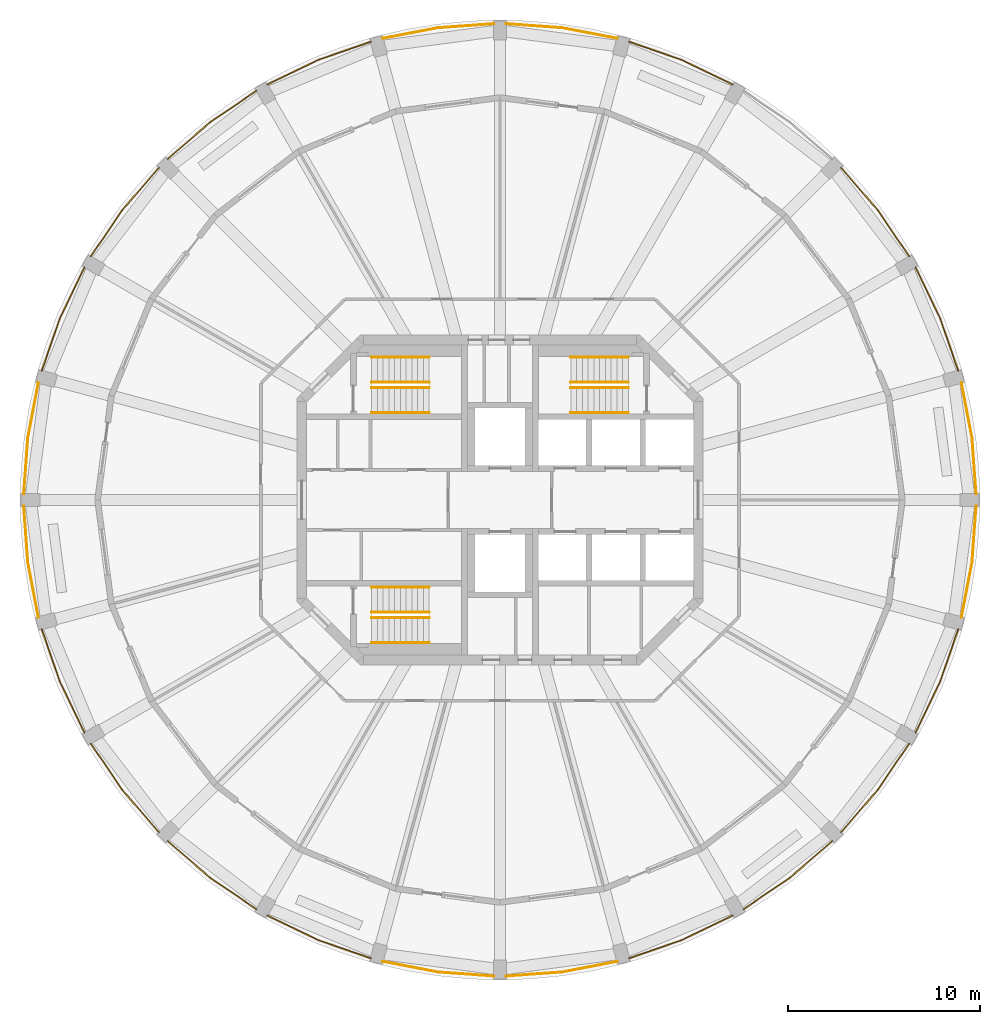
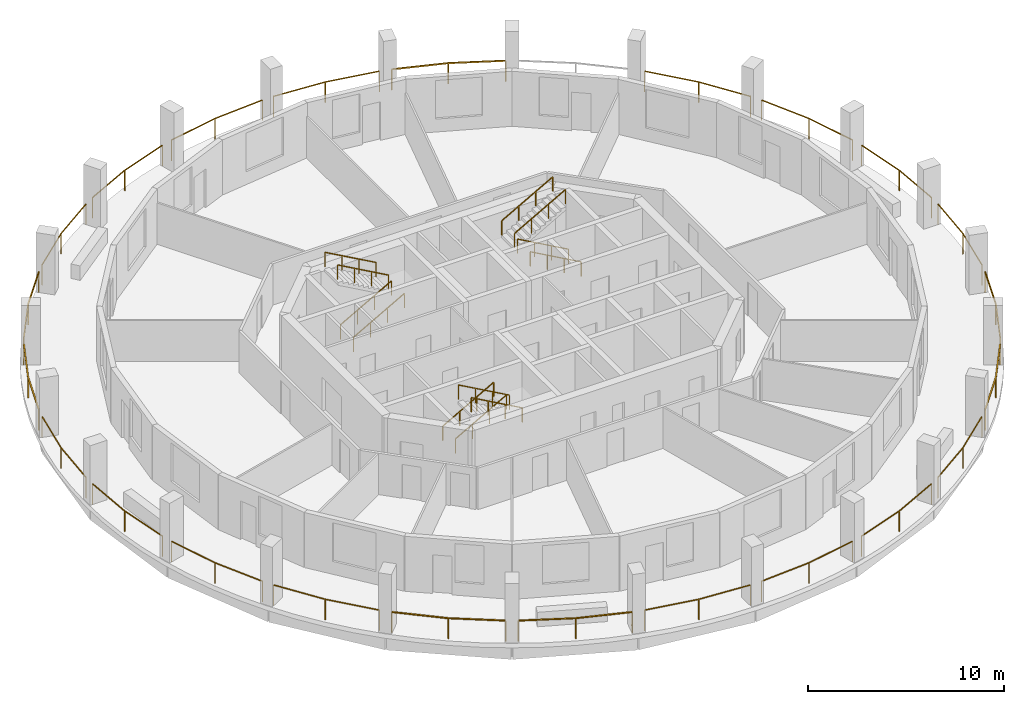
# One storey, part 7 of 8: 35 railings.
"""IFC4 building model written with IfcOpenShell, lengths in metres."""

from ifc_helpers import new_model, si_unit, direction, frame, origin, origin_2d, place, context, subcontext, project, spatial, rectangle, extrude, material, type_object, element, save


model = new_model("IFC4")

# Units and contexts
model_context = context("Model", 3, precision=1e-05, world=origin(), true_north=direction((0.0, 1.0)))
body_context = subcontext(model_context, "Body", "Model", "MODEL_VIEW")
ifc_project = project(units=[si_unit("LENGTHUNIT", "METRE"), si_unit("AREAUNIT", "SQUARE_METRE"), si_unit("VOLUMEUNIT", "CUBIC_METRE"), si_unit("PLANEANGLEUNIT", "RADIAN"), si_unit("MASSUNIT", "GRAM", prefix="KILO")], contexts=[model_context])

# Site, building, storey
site_placement = place(None, origin())
site = spatial("IfcSite", under=ifc_project, at=site_placement, CompositionType="ELEMENT")
building_placement = place(site_placement, origin())
building = spatial("IfcBuilding", under=site, at=building_placement, Name="Torre Triforio", CompositionType="ELEMENT")
storey_placement = place(building_placement, frame((0.0, 0.0, 257.5)))
storey = spatial("IfcBuildingStorey", under=building, at=storey_placement, Name="L59", CompositionType="ELEMENT", Elevation=257.5)

# Railings
ifc_material = material(Name="Stainless steel AISI 316", Category="steel")
railing_type_1 = type_object("IfcRailingType", Name="HANDRAIL 920", PredefinedType="HANDRAIL", material=ifc_material)
for number, where, name in (
    (1, (-6.699951171875, 4.550048828125, 0.168212890625), "Handrail ST1"),
    (2, (-6.699951171875, 5.85009765625, 0.168212890625), "Handrail ST1"),
):
    element("IfcRailing", number, at=place(storey_placement, frame(where)), inside=storey, type_object=railing_type_1, Name=name, PredefinedType="HANDRAIL", context=body_context, shape_type="SweptSolid", body=[
        extrude(rectangle(XDim=0.048095703125, YDim=0.048095703125, at=origin_2d()), frame((0.0, 0.0, 0.89599609375), z_axis=(0.872272294576, 0.0, 0.489020494575), x_axis=(0.0, 1.0, 0.0)), (0.0, 0.0, 1.0), 3.439208984375),
        extrude(rectangle(XDim=0.0419921875, YDim=0.0419921875, at=origin_2d()), origin(), (0.0, 0.0, 1.0), 0.871826171875),
        extrude(rectangle(XDim=0.0419921875, YDim=0.0419921875, at=origin_2d()), frame((1.0, 0.0, 0.560546875)), (0.0, 0.0, 1.0), 0.871826171875),
        extrude(rectangle(XDim=0.0419921875, YDim=0.0419921875, at=origin_2d()), frame((2.0, 0.0, 1.121337890625)), (0.0, 0.0, 1.0), 0.871826171875),
        extrude(rectangle(XDim=0.0419921875, YDim=0.0419921875, at=origin_2d()), frame((3.0, 0.0, 1.681884765625)), (0.0, 0.0, 1.0), 0.871826171875),
    ])
for number, where, name in (
    (3, (-3.699951171875, 7.449951171875, 2.01806640625), "Handrail ST1"),
    (4, (-3.699951171875, 6.14990234375, 2.01806640625), "Handrail ST1"),
    (5, (6.699951171875, 4.550048828125, 0.168212890625), "Handrail ST2"),
    (6, (6.699951171875, 5.85009765625, 0.168212890625), "Handrail ST2"),
):
    element("IfcRailing", number, at=place(storey_placement, frame(where)), inside=storey, type_object=railing_type_1, Name=name, PredefinedType="HANDRAIL", context=body_context, shape_type="SweptSolid", body=[
        extrude(rectangle(XDim=0.048095703125, YDim=0.048095703125, at=origin_2d()), frame((0.0, 0.0, 0.89599609375), z_axis=(-0.872272294576, 0.0, 0.489020494575), x_axis=(0.0, -1.0, 0.0)), (0.0, 0.0, 1.0), 3.439208984375),
        extrude(rectangle(XDim=0.0419921875, YDim=0.0419921875, at=origin_2d()), origin(), (0.0, 0.0, 1.0), 0.871826171875),
        extrude(rectangle(XDim=0.0419921875, YDim=0.0419921875, at=origin_2d()), frame((-1.0, 0.0, 0.560546875)), (0.0, 0.0, 1.0), 0.871826171875),
        extrude(rectangle(XDim=0.0419921875, YDim=0.0419921875, at=origin_2d()), frame((-2.0, 0.0, 1.121337890625)), (0.0, 0.0, 1.0), 0.871826171875),
        extrude(rectangle(XDim=0.0419921875, YDim=0.0419921875, at=origin_2d()), frame((-3.0, 0.0, 1.681884765625)), (0.0, 0.0, 1.0), 0.871826171875),
    ])
for number, where, name in (
    (7, (3.699951171875, 7.449951171875, 2.01806640625), "Handrail ST2"),
    (8, (3.699951171875, 6.14990234375, 2.01806640625), "Handrail ST2"),
    (9, (-6.699951171875, -4.550048828125, 0.168212890625), "Handrail ST3"),
    (10, (-6.699951171875, -5.85009765625, 0.168212890625), "Handrail ST3"),
):
    element("IfcRailing", number, at=place(storey_placement, frame(where)), inside=storey, type_object=railing_type_1, Name=name, PredefinedType="HANDRAIL", context=body_context, shape_type="SweptSolid", body=[
        extrude(rectangle(XDim=0.048095703125, YDim=0.048095703125, at=origin_2d()), frame((0.0, 0.0, 0.89599609375), z_axis=(0.872272294576, 0.0, 0.489020494575), x_axis=(0.0, 1.0, 0.0)), (0.0, 0.0, 1.0), 3.439208984375),
        extrude(rectangle(XDim=0.0419921875, YDim=0.0419921875, at=origin_2d()), origin(), (0.0, 0.0, 1.0), 0.871826171875),
        extrude(rectangle(XDim=0.0419921875, YDim=0.0419921875, at=origin_2d()), frame((1.0, 0.0, 0.560546875)), (0.0, 0.0, 1.0), 0.871826171875),
        extrude(rectangle(XDim=0.0419921875, YDim=0.0419921875, at=origin_2d()), frame((2.0, 0.0, 1.121337890625)), (0.0, 0.0, 1.0), 0.871826171875),
        extrude(rectangle(XDim=0.0419921875, YDim=0.0419921875, at=origin_2d()), frame((3.0, 0.0, 1.681884765625)), (0.0, 0.0, 1.0), 0.871826171875),
    ])
for number, where, name in (
    (11, (-3.699951171875, -7.449951171875, 2.01806640625), "Handrail ST3"),
    (12, (-3.699951171875, -6.14990234375, 2.01806640625), "Handrail ST3"),
):
    element("IfcRailing", number, at=place(storey_placement, frame(where)), inside=storey, type_object=railing_type_1, Name=name, PredefinedType="HANDRAIL", context=body_context, shape_type="SweptSolid", body=[
        extrude(rectangle(XDim=0.048095703125, YDim=0.048095703125, at=origin_2d()), frame((0.0, 0.0, 0.89599609375), z_axis=(-0.872272294576, 0.0, 0.489020494575), x_axis=(0.0, -1.0, 0.0)), (0.0, 0.0, 1.0), 3.439208984375),
        extrude(rectangle(XDim=0.0419921875, YDim=0.0419921875, at=origin_2d()), origin(), (0.0, 0.0, 1.0), 0.871826171875),
        extrude(rectangle(XDim=0.0419921875, YDim=0.0419921875, at=origin_2d()), frame((-1.0, 0.0, 0.560546875)), (0.0, 0.0, 1.0), 0.871826171875),
        extrude(rectangle(XDim=0.0419921875, YDim=0.0419921875, at=origin_2d()), frame((-2.0, 0.0, 1.121337890625)), (0.0, 0.0, 1.0), 0.871826171875),
        extrude(rectangle(XDim=0.0419921875, YDim=0.0419921875, at=origin_2d()), frame((-3.0, 0.0, 1.681884765625)), (0.0, 0.0, 1.0), 0.871826171875),
    ])
railing_type_2 = type_object("IfcRailingType", Name="Loggia guard 1300", PredefinedType="GUARDRAIL", material=ifc_material)
railing_1_placement = place(storey_placement, frame((24.85009765625, 0.320068359375, 0.0)))
element("IfcRailing", 13, at=railing_1_placement, inside=storey, type_object=railing_type_2, Name="Loggia guard L59 bay 01", PredefinedType="GUARDRAIL", context=body_context, shape_type="SweptSolid", body=[
    extrude(rectangle(XDim=0.050048828125, YDim=0.050048828125, at=origin_2d()), frame((0.0, 0.0, 1.27490234375), z_axis=(-0.072543227511, 0.997365269168, 0.0), x_axis=(-0.997365269168, -0.072543227511, 0.0)), (0.0, 0.0, 1.0), 2.931396484375),
    extrude(rectangle(XDim=0.050048828125, YDim=0.050048828125, at=origin_2d()), frame((-0.212646484375, 2.923583984375, 1.27490234375), z_axis=(-0.188068851895, 0.982155846568, 0.0), x_axis=(-0.982155846568, -0.188068851895, 0.0)), (0.0, 0.0, 1.0), 2.93115234375),
    extrude(rectangle(XDim=0.0400390625, YDim=0.0400390625, at=origin_2d()), origin(), (0.0, 0.0, 1.0), 1.25),
    extrude(rectangle(XDim=0.0400390625, YDim=0.0400390625, at=origin_2d()), frame((-0.212646484375, 2.923583984375, 0.0)), (0.0, 0.0, 1.0), 1.25),
    extrude(rectangle(XDim=0.0400390625, YDim=0.0400390625, at=origin_2d()), frame((-0.763916015625, 5.802490234375, 0.0)), (0.0, 0.0, 1.0), 1.25),
])
railing_2_placement = place(storey_placement, frame((23.92041015625, 6.74072265625, 0.0)))
element("IfcRailing", 14, at=railing_2_placement, inside=storey, type_object=railing_type_2, Name="Loggia guard L59 bay 02", PredefinedType="GUARDRAIL", context=body_context, shape_type="SweptSolid", body=[
    extrude(rectangle(XDim=0.050048828125, YDim=0.050048828125, at=origin_2d()), frame((0.0, 0.0, 1.27490234375), z_axis=(-0.328145883403, 0.944627058264, 0.0), x_axis=(-0.944627058264, -0.328145883403, 0.0)), (0.0, 0.0, 1.0), 2.931396484375),
    extrude(rectangle(XDim=0.050048828125, YDim=0.050048828125, at=origin_2d()), frame((-0.9619140625, 2.76904296875, 1.27490234375), z_axis=(-0.435917913275, 0.899986429279, 0.0), x_axis=(-0.899986429279, -0.435917913275, 0.0)), (0.0, 0.0, 1.0), 2.931396484375),
    extrude(rectangle(XDim=0.0400390625, YDim=0.0400390625, at=origin_2d()), origin(), (0.0, 0.0, 1.0), 1.25),
    extrude(rectangle(XDim=0.0400390625, YDim=0.0400390625, at=origin_2d()), frame((-0.9619140625, 2.76904296875, 0.0)), (0.0, 0.0, 1.0), 1.25),
    extrude(rectangle(XDim=0.0400390625, YDim=0.0400390625, at=origin_2d()), frame((-2.23974609375, 5.4072265625, 0.0)), (0.0, 0.0, 1.0), 1.25),
])
railing_3_placement = place(storey_placement, frame((21.360595703125, 12.7021484375, 0.0)))
element("IfcRailing", 15, at=railing_3_placement, inside=storey, type_object=railing_type_2, Name="Loggia guard L59 bay 03", PredefinedType="GUARDRAIL", context=body_context, shape_type="SweptSolid", body=[
    extrude(rectangle(XDim=0.050048828125, YDim=0.050048828125, at=origin_2d()), frame((0.0, 0.0, 1.27490234375), z_axis=(-0.561466791934, 0.827499269821, 0.0), x_axis=(-0.827499269821, -0.561466791934, 0.0)), (0.0, 0.0, 1.0), 2.93115234375),
    extrude(rectangle(XDim=0.050048828125, YDim=0.050048828125, at=origin_2d()), frame((-1.645751953125, 2.425537109375, 1.27490234375), z_axis=(-0.653981928353, 0.756510170049, 0.0), x_axis=(-0.756510170049, -0.653981928353, 0.0)), (0.0, 0.0, 1.0), 2.93115234375),
    extrude(rectangle(XDim=0.0400390625, YDim=0.0400390625, at=origin_2d()), origin(), (0.0, 0.0, 1.0), 1.25),
    extrude(rectangle(XDim=0.0400390625, YDim=0.0400390625, at=origin_2d()), frame((-1.645751953125, 2.425537109375, 0.0)), (0.0, 0.0, 1.0), 1.25),
    extrude(rectangle(XDim=0.0400390625, YDim=0.0400390625, at=origin_2d()), frame((-3.562744140625, 4.64306640625, 0.0)), (0.0, 0.0, 1.0), 1.25),
])
railing_4_placement = place(storey_placement, frame((12.14794921875, 21.6806640625, 0.0)))
element("IfcRailing", 16, at=railing_4_placement, inside=storey, type_object=railing_type_2, Name="Loggia guard L59 bay 05", PredefinedType="GUARDRAIL", context=body_context, shape_type="SweptSolid", body=[
    extrude(rectangle(XDim=0.050048828125, YDim=0.050048828125, at=origin_2d()), frame((0.0, 0.0, 1.27490234375), z_axis=(-0.899986429279, 0.435917913275, 0.0), x_axis=(-0.435917913275, -0.899986429279, 0.0)), (0.0, 0.0, 1.0), 2.931396484375),
    extrude(rectangle(XDim=0.050048828125, YDim=0.050048828125, at=origin_2d()), frame((-2.63818359375, 1.27783203125, 1.27490234375), z_axis=(-0.944627058264, 0.328145883403, 0.0), x_axis=(-0.328145883403, -0.944627058264, 0.0)), (0.0, 0.0, 1.0), 2.931396484375),
    extrude(rectangle(XDim=0.0400390625, YDim=0.0400390625, at=origin_2d()), origin(), (0.0, 0.0, 1.0), 1.25),
    extrude(rectangle(XDim=0.0400390625, YDim=0.0400390625, at=origin_2d()), frame((-2.63818359375, 1.27783203125, 0.0)), (0.0, 0.0, 1.0), 1.25),
    extrude(rectangle(XDim=0.0400390625, YDim=0.0400390625, at=origin_2d()), frame((-5.4072265625, 2.23974609375, 0.0)), (0.0, 0.0, 1.0), 1.25),
])
railing_5_placement = place(storey_placement, frame((6.12255859375, 24.086181640625, 0.0)))
element("IfcRailing", 17, at=railing_5_placement, inside=storey, type_object=railing_type_2, Name="Loggia guard L59 bay 06", PredefinedType="GUARDRAIL", context=body_context, shape_type="SweptSolid", body=[
    extrude(rectangle(XDim=0.050048828125, YDim=0.050048828125, at=origin_2d()), frame((0.0, 0.0, 1.27490234375), z_axis=(-0.982155846568, 0.188068851895, 0.0), x_axis=(-0.188068851895, -0.982155846568, 0.0)), (0.0, 0.0, 1.0), 2.93115234375),
    extrude(rectangle(XDim=0.050048828125, YDim=0.050048828125, at=origin_2d()), frame((-2.87890625, 0.55126953125, 1.27490234375), z_axis=(-0.997365269168, 0.072543227511, 0.0), x_axis=(-0.072543227511, -0.997365269168, 0.0)), (0.0, 0.0, 1.0), 2.931396484375),
    extrude(rectangle(XDim=0.0400390625, YDim=0.0400390625, at=origin_2d()), origin(), (0.0, 0.0, 1.0), 1.25),
    extrude(rectangle(XDim=0.0400390625, YDim=0.0400390625, at=origin_2d()), frame((-2.87890625, 0.55126953125, 0.0)), (0.0, 0.0, 1.0), 1.25),
    extrude(rectangle(XDim=0.0400390625, YDim=0.0400390625, at=origin_2d()), frame((-5.802490234375, 0.763916015625, 0.0)), (0.0, 0.0, 1.0), 1.25),
])
railing_6_placement = place(storey_placement, frame((-0.320068359375, 24.85009765625, 0.0)))
element("IfcRailing", 18, at=railing_6_placement, inside=storey, type_object=railing_type_2, Name="Loggia guard L59 bay 07", PredefinedType="GUARDRAIL", context=body_context, shape_type="SweptSolid", body=[
    extrude(rectangle(XDim=0.050048828125, YDim=0.050048828125, at=origin_2d()), frame((0.0, 0.0, 1.27490234375), z_axis=(-0.997365269168, -0.072543227511, 0.0), x_axis=(0.072543227511, -0.997365269168, 0.0)), (0.0, 0.0, 1.0), 2.931396484375),
    extrude(rectangle(XDim=0.050048828125, YDim=0.050048828125, at=origin_2d()), frame((-2.923583984375, -0.212646484375, 1.27490234375), z_axis=(-0.982155846568, -0.188068851895, 0.0), x_axis=(0.188068851895, -0.982155846568, 0.0)), (0.0, 0.0, 1.0), 2.93115234375),
    extrude(rectangle(XDim=0.0400390625, YDim=0.0400390625, at=origin_2d()), origin(), (0.0, 0.0, 1.0), 1.25),
    extrude(rectangle(XDim=0.0400390625, YDim=0.0400390625, at=origin_2d()), frame((-2.923583984375, -0.212646484375, 0.0)), (0.0, 0.0, 1.0), 1.25),
    extrude(rectangle(XDim=0.0400390625, YDim=0.0400390625, at=origin_2d()), frame((-5.802490234375, -0.763916015625, 0.0)), (0.0, 0.0, 1.0), 1.25),
])
railing_7_placement = place(storey_placement, frame((-6.74072265625, 23.92041015625, 0.0)))
element("IfcRailing", 19, at=railing_7_placement, inside=storey, type_object=railing_type_2, Name="Loggia guard L59 bay 08", PredefinedType="GUARDRAIL", context=body_context, shape_type="SweptSolid", body=[
    extrude(rectangle(XDim=0.050048828125, YDim=0.050048828125, at=origin_2d()), frame((0.0, 0.0, 1.27490234375), z_axis=(-0.944627058264, -0.328145883403, 0.0), x_axis=(0.328145883403, -0.944627058264, 0.0)), (0.0, 0.0, 1.0), 2.931396484375),
    extrude(rectangle(XDim=0.050048828125, YDim=0.050048828125, at=origin_2d()), frame((-2.76904296875, -0.9619140625, 1.27490234375), z_axis=(-0.899986429279, -0.435917913275, 0.0), x_axis=(0.435917913275, -0.899986429279, 0.0)), (0.0, 0.0, 1.0), 2.931396484375),
    extrude(rectangle(XDim=0.0400390625, YDim=0.0400390625, at=origin_2d()), origin(), (0.0, 0.0, 1.0), 1.25),
    extrude(rectangle(XDim=0.0400390625, YDim=0.0400390625, at=origin_2d()), frame((-2.76904296875, -0.9619140625, 0.0)), (0.0, 0.0, 1.0), 1.25),
    extrude(rectangle(XDim=0.0400390625, YDim=0.0400390625, at=origin_2d()), frame((-5.4072265625, -2.23974609375, 0.0)), (0.0, 0.0, 1.0), 1.25),
])
railing_8_placement = place(storey_placement, frame((-12.7021484375, 21.360595703125, 0.0)))
element("IfcRailing", 20, at=railing_8_placement, inside=storey, type_object=railing_type_2, Name="Loggia guard L59 bay 09", PredefinedType="GUARDRAIL", context=body_context, shape_type="SweptSolid", body=[
    extrude(rectangle(XDim=0.050048828125, YDim=0.050048828125, at=origin_2d()), frame((0.0, 0.0, 1.27490234375), z_axis=(-0.827499269821, -0.561466791934, 0.0), x_axis=(0.561466791934, -0.827499269821, 0.0)), (0.0, 0.0, 1.0), 2.93115234375),
    extrude(rectangle(XDim=0.050048828125, YDim=0.050048828125, at=origin_2d()), frame((-2.425537109375, -1.645751953125, 1.27490234375), z_axis=(-0.756510170049, -0.653981928353, 0.0), x_axis=(0.653981928353, -0.756510170049, 0.0)), (0.0, 0.0, 1.0), 2.93115234375),
    extrude(rectangle(XDim=0.0400390625, YDim=0.0400390625, at=origin_2d()), origin(), (0.0, 0.0, 1.0), 1.25),
    extrude(rectangle(XDim=0.0400390625, YDim=0.0400390625, at=origin_2d()), frame((-2.425537109375, -1.645751953125, 0.0)), (0.0, 0.0, 1.0), 1.25),
    extrude(rectangle(XDim=0.0400390625, YDim=0.0400390625, at=origin_2d()), frame((-4.64306640625, -3.562744140625, 0.0)), (0.0, 0.0, 1.0), 1.25),
])
railing_9_placement = place(storey_placement, frame((-17.7978515625, 17.34521484375, 0.0)))
element("IfcRailing", 21, at=railing_9_placement, inside=storey, type_object=railing_type_2, Name="Loggia guard L59 bay 10", PredefinedType="GUARDRAIL", context=body_context, shape_type="SweptSolid", body=[
    extrude(rectangle(XDim=0.050048828125, YDim=0.050048828125, at=origin_2d()), frame((0.0, 0.0, 1.27490234375), z_axis=(-0.653981928353, -0.756510170049, 0.0), x_axis=(0.756510170049, -0.653981928353, 0.0)), (0.0, 0.0, 1.0), 2.93115234375),
    extrude(rectangle(XDim=0.050048828125, YDim=0.050048828125, at=origin_2d()), frame((-1.9169921875, -2.217529296875, 1.27490234375), z_axis=(-0.561466791934, -0.827499269821, 0.0), x_axis=(0.827499269821, -0.561466791934, 0.0)), (0.0, 0.0, 1.0), 2.93115234375),
    extrude(rectangle(XDim=0.0400390625, YDim=0.0400390625, at=origin_2d()), origin(), (0.0, 0.0, 1.0), 1.25),
    extrude(rectangle(XDim=0.0400390625, YDim=0.0400390625, at=origin_2d()), frame((-1.9169921875, -2.217529296875, 0.0)), (0.0, 0.0, 1.0), 1.25),
    extrude(rectangle(XDim=0.0400390625, YDim=0.0400390625, at=origin_2d()), frame((-3.562744140625, -4.64306640625, 0.0)), (0.0, 0.0, 1.0), 1.25),
])
railing_10_placement = place(storey_placement, frame((-21.6806640625, 12.14794921875, 0.0)))
element("IfcRailing", 22, at=railing_10_placement, inside=storey, type_object=railing_type_2, Name="Loggia guard L59 bay 11", PredefinedType="GUARDRAIL", context=body_context, shape_type="SweptSolid", body=[
    extrude(rectangle(XDim=0.050048828125, YDim=0.050048828125, at=origin_2d()), frame((0.0, 0.0, 1.27490234375), z_axis=(-0.435917913275, -0.899986429279, 0.0), x_axis=(0.899986429279, -0.435917913275, 0.0)), (0.0, 0.0, 1.0), 2.931396484375),
    extrude(rectangle(XDim=0.050048828125, YDim=0.050048828125, at=origin_2d()), frame((-1.27783203125, -2.63818359375, 1.27490234375), z_axis=(-0.328145883403, -0.944627058264, 0.0), x_axis=(0.944627058264, -0.328145883403, 0.0)), (0.0, 0.0, 1.0), 2.931396484375),
    extrude(rectangle(XDim=0.0400390625, YDim=0.0400390625, at=origin_2d()), origin(), (0.0, 0.0, 1.0), 1.25),
    extrude(rectangle(XDim=0.0400390625, YDim=0.0400390625, at=origin_2d()), frame((-1.27783203125, -2.63818359375, 0.0)), (0.0, 0.0, 1.0), 1.25),
    extrude(rectangle(XDim=0.0400390625, YDim=0.0400390625, at=origin_2d()), frame((-2.23974609375, -5.4072265625, 0.0)), (0.0, 0.0, 1.0), 1.25),
])
railing_11_placement = place(storey_placement, frame((-24.086181640625, 6.12255859375, 0.0)))
element("IfcRailing", 23, at=railing_11_placement, inside=storey, type_object=railing_type_2, Name="Loggia guard L59 bay 12", PredefinedType="GUARDRAIL", context=body_context, shape_type="SweptSolid", body=[
    extrude(rectangle(XDim=0.050048828125, YDim=0.050048828125, at=origin_2d()), frame((0.0, 0.0, 1.27490234375), z_axis=(-0.188068851895, -0.982155846568, 0.0), x_axis=(0.982155846568, -0.188068851895, 0.0)), (0.0, 0.0, 1.0), 2.93115234375),
    extrude(rectangle(XDim=0.050048828125, YDim=0.050048828125, at=origin_2d()), frame((-0.55126953125, -2.87890625, 1.27490234375), z_axis=(-0.072543227511, -0.997365269168, 0.0), x_axis=(0.997365269168, -0.072543227511, 0.0)), (0.0, 0.0, 1.0), 2.931396484375),
    extrude(rectangle(XDim=0.0400390625, YDim=0.0400390625, at=origin_2d()), origin(), (0.0, 0.0, 1.0), 1.25),
    extrude(rectangle(XDim=0.0400390625, YDim=0.0400390625, at=origin_2d()), frame((-0.55126953125, -2.87890625, 0.0)), (0.0, 0.0, 1.0), 1.25),
    extrude(rectangle(XDim=0.0400390625, YDim=0.0400390625, at=origin_2d()), frame((-0.763916015625, -5.802490234375, 0.0)), (0.0, 0.0, 1.0), 1.25),
])
railing_12_placement = place(storey_placement, frame((-24.85009765625, -0.320068359375, 0.0)))
element("IfcRailing", 24, at=railing_12_placement, inside=storey, type_object=railing_type_2, Name="Loggia guard L59 bay 13", PredefinedType="GUARDRAIL", context=body_context, shape_type="SweptSolid", body=[
    extrude(rectangle(XDim=0.050048828125, YDim=0.050048828125, at=origin_2d()), frame((0.0, 0.0, 1.27490234375), z_axis=(0.072543227511, -0.997365269168, 0.0), x_axis=(0.997365269168, 0.072543227511, 0.0)), (0.0, 0.0, 1.0), 2.931396484375),
    extrude(rectangle(XDim=0.050048828125, YDim=0.050048828125, at=origin_2d()), frame((0.212646484375, -2.923583984375, 1.27490234375), z_axis=(0.188068851895, -0.982155846568, 0.0), x_axis=(0.982155846568, 0.188068851895, 0.0)), (0.0, 0.0, 1.0), 2.93115234375),
    extrude(rectangle(XDim=0.0400390625, YDim=0.0400390625, at=origin_2d()), origin(), (0.0, 0.0, 1.0), 1.25),
    extrude(rectangle(XDim=0.0400390625, YDim=0.0400390625, at=origin_2d()), frame((0.212646484375, -2.923583984375, 0.0)), (0.0, 0.0, 1.0), 1.25),
    extrude(rectangle(XDim=0.0400390625, YDim=0.0400390625, at=origin_2d()), frame((0.763916015625, -5.802490234375, 0.0)), (0.0, 0.0, 1.0), 1.25),
])
railing_13_placement = place(storey_placement, frame((-23.92041015625, -6.74072265625, 0.0)))
element("IfcRailing", 25, at=railing_13_placement, inside=storey, type_object=railing_type_2, Name="Loggia guard L59 bay 14", PredefinedType="GUARDRAIL", context=body_context, shape_type="SweptSolid", body=[
    extrude(rectangle(XDim=0.050048828125, YDim=0.050048828125, at=origin_2d()), frame((0.0, 0.0, 1.27490234375), z_axis=(0.328145883403, -0.944627058264, 0.0), x_axis=(0.944627058264, 0.328145883403, 0.0)), (0.0, 0.0, 1.0), 2.931396484375),
    extrude(rectangle(XDim=0.050048828125, YDim=0.050048828125, at=origin_2d()), frame((0.9619140625, -2.76904296875, 1.27490234375), z_axis=(0.435917913275, -0.899986429279, 0.0), x_axis=(0.899986429279, 0.435917913275, 0.0)), (0.0, 0.0, 1.0), 2.931396484375),
    extrude(rectangle(XDim=0.0400390625, YDim=0.0400390625, at=origin_2d()), origin(), (0.0, 0.0, 1.0), 1.25),
    extrude(rectangle(XDim=0.0400390625, YDim=0.0400390625, at=origin_2d()), frame((0.9619140625, -2.76904296875, 0.0)), (0.0, 0.0, 1.0), 1.25),
    extrude(rectangle(XDim=0.0400390625, YDim=0.0400390625, at=origin_2d()), frame((2.23974609375, -5.4072265625, 0.0)), (0.0, 0.0, 1.0), 1.25),
])
railing_14_placement = place(storey_placement, frame((-21.360595703125, -12.7021484375, 0.0)))
element("IfcRailing", 26, at=railing_14_placement, inside=storey, type_object=railing_type_2, Name="Loggia guard L59 bay 15", PredefinedType="GUARDRAIL", context=body_context, shape_type="SweptSolid", body=[
    extrude(rectangle(XDim=0.050048828125, YDim=0.050048828125, at=origin_2d()), frame((0.0, 0.0, 1.27490234375), z_axis=(0.561466791934, -0.827499269821, 0.0), x_axis=(0.827499269821, 0.561466791934, 0.0)), (0.0, 0.0, 1.0), 2.93115234375),
    extrude(rectangle(XDim=0.050048828125, YDim=0.050048828125, at=origin_2d()), frame((1.645751953125, -2.425537109375, 1.27490234375), z_axis=(0.653981928353, -0.756510170049, 0.0), x_axis=(0.756510170049, 0.653981928353, 0.0)), (0.0, 0.0, 1.0), 2.93115234375),
    extrude(rectangle(XDim=0.0400390625, YDim=0.0400390625, at=origin_2d()), origin(), (0.0, 0.0, 1.0), 1.25),
    extrude(rectangle(XDim=0.0400390625, YDim=0.0400390625, at=origin_2d()), frame((1.645751953125, -2.425537109375, 0.0)), (0.0, 0.0, 1.0), 1.25),
    extrude(rectangle(XDim=0.0400390625, YDim=0.0400390625, at=origin_2d()), frame((3.562744140625, -4.64306640625, 0.0)), (0.0, 0.0, 1.0), 1.25),
])
railing_15_placement = place(storey_placement, frame((-17.34521484375, -17.7978515625, 0.0)))
element("IfcRailing", 27, at=railing_15_placement, inside=storey, type_object=railing_type_2, Name="Loggia guard L59 bay 16", PredefinedType="GUARDRAIL", context=body_context, shape_type="SweptSolid", body=[
    extrude(rectangle(XDim=0.050048828125, YDim=0.050048828125, at=origin_2d()), frame((0.0, 0.0, 1.27490234375), z_axis=(0.756510170049, -0.653981928353, 0.0), x_axis=(0.653981928353, 0.756510170049, 0.0)), (0.0, 0.0, 1.0), 2.93115234375),
    extrude(rectangle(XDim=0.050048828125, YDim=0.050048828125, at=origin_2d()), frame((2.217529296875, -1.9169921875, 1.27490234375), z_axis=(0.827499269821, -0.561466791934, 0.0), x_axis=(0.561466791934, 0.827499269821, 0.0)), (0.0, 0.0, 1.0), 2.93115234375),
    extrude(rectangle(XDim=0.0400390625, YDim=0.0400390625, at=origin_2d()), origin(), (0.0, 0.0, 1.0), 1.25),
    extrude(rectangle(XDim=0.0400390625, YDim=0.0400390625, at=origin_2d()), frame((2.217529296875, -1.9169921875, 0.0)), (0.0, 0.0, 1.0), 1.25),
    extrude(rectangle(XDim=0.0400390625, YDim=0.0400390625, at=origin_2d()), frame((4.64306640625, -3.562744140625, 0.0)), (0.0, 0.0, 1.0), 1.25),
])
railing_16_placement = place(storey_placement, frame((-12.14794921875, -21.6806640625, 0.0)))
element("IfcRailing", 28, at=railing_16_placement, inside=storey, type_object=railing_type_2, Name="Loggia guard L59 bay 17", PredefinedType="GUARDRAIL", context=body_context, shape_type="SweptSolid", body=[
    extrude(rectangle(XDim=0.050048828125, YDim=0.050048828125, at=origin_2d()), frame((0.0, 0.0, 1.27490234375), z_axis=(0.899986429279, -0.435917913275, 0.0), x_axis=(0.435917913275, 0.899986429279, 0.0)), (0.0, 0.0, 1.0), 2.931396484375),
    extrude(rectangle(XDim=0.050048828125, YDim=0.050048828125, at=origin_2d()), frame((2.63818359375, -1.27783203125, 1.27490234375), z_axis=(0.944627058264, -0.328145883403, 0.0), x_axis=(0.328145883403, 0.944627058264, 0.0)), (0.0, 0.0, 1.0), 2.931396484375),
    extrude(rectangle(XDim=0.0400390625, YDim=0.0400390625, at=origin_2d()), origin(), (0.0, 0.0, 1.0), 1.25),
    extrude(rectangle(XDim=0.0400390625, YDim=0.0400390625, at=origin_2d()), frame((2.63818359375, -1.27783203125, 0.0)), (0.0, 0.0, 1.0), 1.25),
    extrude(rectangle(XDim=0.0400390625, YDim=0.0400390625, at=origin_2d()), frame((5.4072265625, -2.23974609375, 0.0)), (0.0, 0.0, 1.0), 1.25),
])
railing_17_placement = place(storey_placement, frame((-6.12255859375, -24.086181640625, 0.0)))
element("IfcRailing", 29, at=railing_17_placement, inside=storey, type_object=railing_type_2, Name="Loggia guard L59 bay 18", PredefinedType="GUARDRAIL", context=body_context, shape_type="SweptSolid", body=[
    extrude(rectangle(XDim=0.050048828125, YDim=0.050048828125, at=origin_2d()), frame((0.0, 0.0, 1.27490234375), z_axis=(0.982155846568, -0.188068851895, 0.0), x_axis=(0.188068851895, 0.982155846568, 0.0)), (0.0, 0.0, 1.0), 2.93115234375),
    extrude(rectangle(XDim=0.050048828125, YDim=0.050048828125, at=origin_2d()), frame((2.87890625, -0.55126953125, 1.27490234375), z_axis=(0.997365269168, -0.072543227511, 0.0), x_axis=(0.072543227511, 0.997365269168, 0.0)), (0.0, 0.0, 1.0), 2.931396484375),
    extrude(rectangle(XDim=0.0400390625, YDim=0.0400390625, at=origin_2d()), origin(), (0.0, 0.0, 1.0), 1.25),
    extrude(rectangle(XDim=0.0400390625, YDim=0.0400390625, at=origin_2d()), frame((2.87890625, -0.55126953125, 0.0)), (0.0, 0.0, 1.0), 1.25),
    extrude(rectangle(XDim=0.0400390625, YDim=0.0400390625, at=origin_2d()), frame((5.802490234375, -0.763916015625, 0.0)), (0.0, 0.0, 1.0), 1.25),
])
railing_18_placement = place(storey_placement, frame((0.320068359375, -24.85009765625, 0.0)))
element("IfcRailing", 30, at=railing_18_placement, inside=storey, type_object=railing_type_2, Name="Loggia guard L59 bay 19", PredefinedType="GUARDRAIL", context=body_context, shape_type="SweptSolid", body=[
    extrude(rectangle(XDim=0.050048828125, YDim=0.050048828125, at=origin_2d()), frame((0.0, 0.0, 1.27490234375), z_axis=(0.997365269168, 0.072543227511, 0.0), x_axis=(-0.072543227511, 0.997365269168, 0.0)), (0.0, 0.0, 1.0), 2.931396484375),
    extrude(rectangle(XDim=0.050048828125, YDim=0.050048828125, at=origin_2d()), frame((2.923583984375, 0.212646484375, 1.27490234375), z_axis=(0.982155846568, 0.188068851895, 0.0), x_axis=(-0.188068851895, 0.982155846568, 0.0)), (0.0, 0.0, 1.0), 2.93115234375),
    extrude(rectangle(XDim=0.0400390625, YDim=0.0400390625, at=origin_2d()), origin(), (0.0, 0.0, 1.0), 1.25),
    extrude(rectangle(XDim=0.0400390625, YDim=0.0400390625, at=origin_2d()), frame((2.923583984375, 0.212646484375, 0.0)), (0.0, 0.0, 1.0), 1.25),
    extrude(rectangle(XDim=0.0400390625, YDim=0.0400390625, at=origin_2d()), frame((5.802490234375, 0.763916015625, 0.0)), (0.0, 0.0, 1.0), 1.25),
])
railing_19_placement = place(storey_placement, frame((6.74072265625, -23.92041015625, 0.0)))
element("IfcRailing", 31, at=railing_19_placement, inside=storey, type_object=railing_type_2, Name="Loggia guard L59 bay 20", PredefinedType="GUARDRAIL", context=body_context, shape_type="SweptSolid", body=[
    extrude(rectangle(XDim=0.050048828125, YDim=0.050048828125, at=origin_2d()), frame((0.0, 0.0, 1.27490234375), z_axis=(0.944627058264, 0.328145883403, 0.0), x_axis=(-0.328145883403, 0.944627058264, 0.0)), (0.0, 0.0, 1.0), 2.931396484375),
    extrude(rectangle(XDim=0.050048828125, YDim=0.050048828125, at=origin_2d()), frame((2.76904296875, 0.9619140625, 1.27490234375), z_axis=(0.899986429279, 0.435917913275, 0.0), x_axis=(-0.435917913275, 0.899986429279, 0.0)), (0.0, 0.0, 1.0), 2.931396484375),
    extrude(rectangle(XDim=0.0400390625, YDim=0.0400390625, at=origin_2d()), origin(), (0.0, 0.0, 1.0), 1.25),
    extrude(rectangle(XDim=0.0400390625, YDim=0.0400390625, at=origin_2d()), frame((2.76904296875, 0.9619140625, 0.0)), (0.0, 0.0, 1.0), 1.25),
    extrude(rectangle(XDim=0.0400390625, YDim=0.0400390625, at=origin_2d()), frame((5.4072265625, 2.23974609375, 0.0)), (0.0, 0.0, 1.0), 1.25),
])
railing_20_placement = place(storey_placement, frame((12.7021484375, -21.360595703125, 0.0)))
element("IfcRailing", 32, at=railing_20_placement, inside=storey, type_object=railing_type_2, Name="Loggia guard L59 bay 21", PredefinedType="GUARDRAIL", context=body_context, shape_type="SweptSolid", body=[
    extrude(rectangle(XDim=0.050048828125, YDim=0.050048828125, at=origin_2d()), frame((0.0, 0.0, 1.27490234375), z_axis=(0.827499269821, 0.561466791934, 0.0), x_axis=(-0.561466791934, 0.827499269821, 0.0)), (0.0, 0.0, 1.0), 2.93115234375),
    extrude(rectangle(XDim=0.050048828125, YDim=0.050048828125, at=origin_2d()), frame((2.425537109375, 1.645751953125, 1.27490234375), z_axis=(0.756510170049, 0.653981928353, 0.0), x_axis=(-0.653981928353, 0.756510170049, 0.0)), (0.0, 0.0, 1.0), 2.93115234375),
    extrude(rectangle(XDim=0.0400390625, YDim=0.0400390625, at=origin_2d()), origin(), (0.0, 0.0, 1.0), 1.25),
    extrude(rectangle(XDim=0.0400390625, YDim=0.0400390625, at=origin_2d()), frame((2.425537109375, 1.645751953125, 0.0)), (0.0, 0.0, 1.0), 1.25),
    extrude(rectangle(XDim=0.0400390625, YDim=0.0400390625, at=origin_2d()), frame((4.64306640625, 3.562744140625, 0.0)), (0.0, 0.0, 1.0), 1.25),
])
railing_21_placement = place(storey_placement, frame((17.7978515625, -17.34521484375, 0.0)))
element("IfcRailing", 33, at=railing_21_placement, inside=storey, type_object=railing_type_2, Name="Loggia guard L59 bay 22", PredefinedType="GUARDRAIL", context=body_context, shape_type="SweptSolid", body=[
    extrude(rectangle(XDim=0.050048828125, YDim=0.050048828125, at=origin_2d()), frame((0.0, 0.0, 1.27490234375), z_axis=(0.653981928353, 0.756510170049, 0.0), x_axis=(-0.756510170049, 0.653981928353, 0.0)), (0.0, 0.0, 1.0), 2.93115234375),
    extrude(rectangle(XDim=0.050048828125, YDim=0.050048828125, at=origin_2d()), frame((1.9169921875, 2.217529296875, 1.27490234375), z_axis=(0.561466791934, 0.827499269821, 0.0), x_axis=(-0.827499269821, 0.561466791934, 0.0)), (0.0, 0.0, 1.0), 2.93115234375),
    extrude(rectangle(XDim=0.0400390625, YDim=0.0400390625, at=origin_2d()), origin(), (0.0, 0.0, 1.0), 1.25),
    extrude(rectangle(XDim=0.0400390625, YDim=0.0400390625, at=origin_2d()), frame((1.9169921875, 2.217529296875, 0.0)), (0.0, 0.0, 1.0), 1.25),
    extrude(rectangle(XDim=0.0400390625, YDim=0.0400390625, at=origin_2d()), frame((3.562744140625, 4.64306640625, 0.0)), (0.0, 0.0, 1.0), 1.25),
])
railing_22_placement = place(storey_placement, frame((21.6806640625, -12.14794921875, 0.0)))
element("IfcRailing", 34, at=railing_22_placement, inside=storey, type_object=railing_type_2, Name="Loggia guard L59 bay 23", PredefinedType="GUARDRAIL", context=body_context, shape_type="SweptSolid", body=[
    extrude(rectangle(XDim=0.050048828125, YDim=0.050048828125, at=origin_2d()), frame((0.0, 0.0, 1.27490234375), z_axis=(0.435917913275, 0.899986429279, 0.0), x_axis=(-0.899986429279, 0.435917913275, 0.0)), (0.0, 0.0, 1.0), 2.931396484375),
    extrude(rectangle(XDim=0.050048828125, YDim=0.050048828125, at=origin_2d()), frame((1.27783203125, 2.63818359375, 1.27490234375), z_axis=(0.328145883403, 0.944627058264, 0.0), x_axis=(-0.944627058264, 0.328145883403, 0.0)), (0.0, 0.0, 1.0), 2.931396484375),
    extrude(rectangle(XDim=0.0400390625, YDim=0.0400390625, at=origin_2d()), origin(), (0.0, 0.0, 1.0), 1.25),
    extrude(rectangle(XDim=0.0400390625, YDim=0.0400390625, at=origin_2d()), frame((1.27783203125, 2.63818359375, 0.0)), (0.0, 0.0, 1.0), 1.25),
    extrude(rectangle(XDim=0.0400390625, YDim=0.0400390625, at=origin_2d()), frame((2.23974609375, 5.4072265625, 0.0)), (0.0, 0.0, 1.0), 1.25),
])
railing_23_placement = place(storey_placement, frame((24.086181640625, -6.12255859375, 0.0)))
element("IfcRailing", 35, at=railing_23_placement, inside=storey, type_object=railing_type_2, Name="Loggia guard L59 bay 24", PredefinedType="GUARDRAIL", context=body_context, shape_type="SweptSolid", body=[
    extrude(rectangle(XDim=0.050048828125, YDim=0.050048828125, at=origin_2d()), frame((0.0, 0.0, 1.27490234375), z_axis=(0.188068851895, 0.982155846568, 0.0), x_axis=(-0.982155846568, 0.188068851895, 0.0)), (0.0, 0.0, 1.0), 2.93115234375),
    extrude(rectangle(XDim=0.050048828125, YDim=0.050048828125, at=origin_2d()), frame((0.55126953125, 2.87890625, 1.27490234375), z_axis=(0.072543227511, 0.997365269168, 0.0), x_axis=(-0.997365269168, 0.072543227511, 0.0)), (0.0, 0.0, 1.0), 2.931396484375),
    extrude(rectangle(XDim=0.0400390625, YDim=0.0400390625, at=origin_2d()), origin(), (0.0, 0.0, 1.0), 1.25),
    extrude(rectangle(XDim=0.0400390625, YDim=0.0400390625, at=origin_2d()), frame((0.55126953125, 2.87890625, 0.0)), (0.0, 0.0, 1.0), 1.25),
    extrude(rectangle(XDim=0.0400390625, YDim=0.0400390625, at=origin_2d()), frame((0.763916015625, 5.802490234375, 0.0)), (0.0, 0.0, 1.0), 1.25),
])

save(model, "model.ifc")
